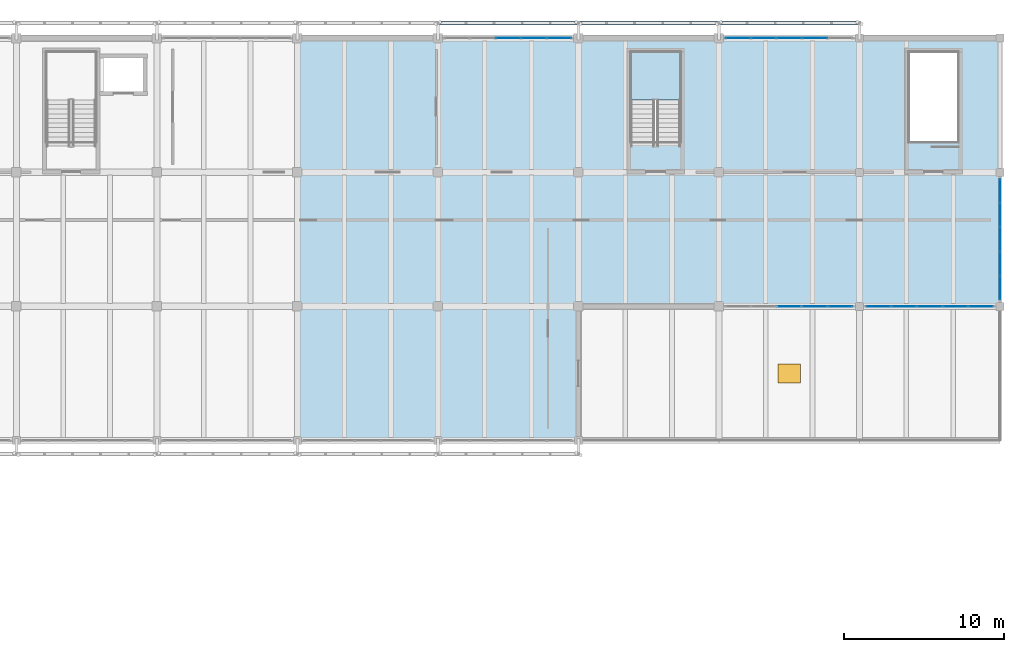
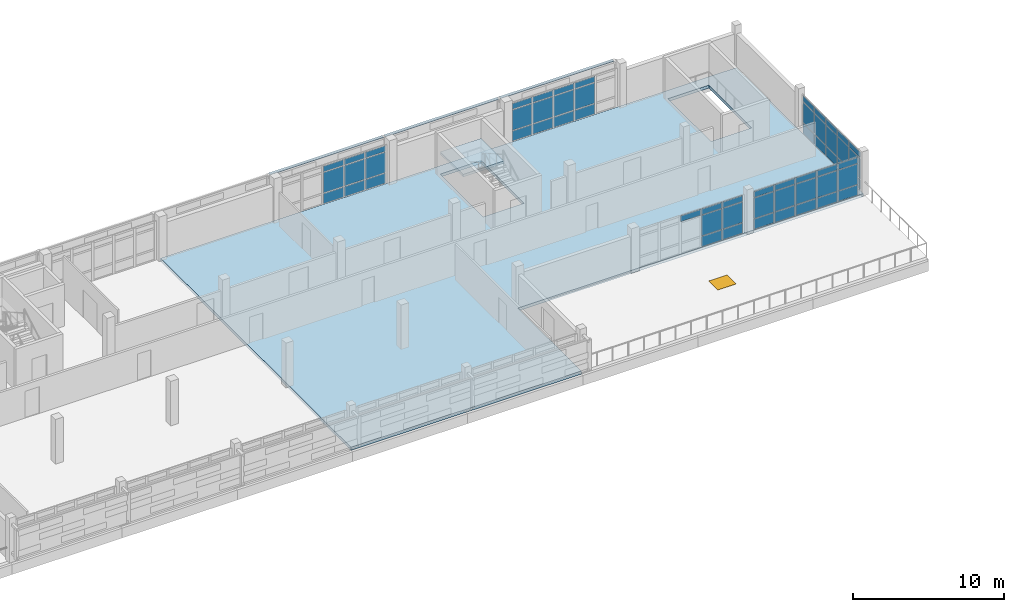
# One storey, part 40 of 50: 61 plates, 2 slabs, 1 window, 1 opening, 6 elements without a shape of their own.
"""IFC4 building model written with IfcOpenShell, lengths in metres."""

from ifc_helpers import new_model, si_unit, direction, frame, origin, origin_2d, place, context, subcontext, project, spatial, polyline, rectangle, outline, extrude, material, layer, layer_set, type_object, element, fill, aggregate, save


model = new_model("IFC4")

# Units and contexts
model_context = context("Model", 3, precision=1e-05, world=origin(), true_north=direction((0.0, 1.0)))
body_context = subcontext(model_context, "Body", "Model", "MODEL_VIEW")
ifc_project = project(units=[si_unit("LENGTHUNIT", "METRE"), si_unit("AREAUNIT", "SQUARE_METRE"), si_unit("VOLUMEUNIT", "CUBIC_METRE"), si_unit("PLANEANGLEUNIT", "RADIAN"), si_unit("MASSUNIT", "GRAM", prefix="KILO")], contexts=[model_context])

# Site, building, storey
site_placement = place(None, origin())
site = spatial("IfcSite", under=ifc_project, at=site_placement, CompositionType="ELEMENT")
building_placement = place(site_placement, origin())
building = spatial("IfcBuilding", under=site, at=building_placement, Name="Cinderway Yard Community Centre", CompositionType="ELEMENT")
storey_placement = place(building_placement, frame((0.0, 0.0, 12.89990234375)))
storey = spatial("IfcBuildingStorey", under=building, at=storey_placement, Name="L03", CompositionType="ELEMENT", Elevation=12.89990234375)

# Curtain wall, plates
ifc_material_1 = material(Name="Aluminium 6063-T6", Category="aluminium")
curtain_wall_type_1 = type_object("IfcCurtainWallType", Name="ENV-CW-TYPE-32", PredefinedType="USERDEFINED", material=ifc_material_1)
curtain_wall_1_placement = place(storey_placement, origin())
curtain_wall_1 = element("IfcCurtainWall", 1, at=curtain_wall_1_placement, inside=storey, type_object=curtain_wall_type_1, Name="V4 East End Curtain Wall ENV-CW-L03-ST-0175", ObjectType="GLAZED CURTAIN WALL", PredefinedType="USERDEFINED")
ifc_material_2 = material(Name="Laminated Low-E Glass", Category="glass")
ifc_layer_1 = layer(ifc_material_2, 0.028076171875, Name="Laminated Low-E Glass")
ifc_layer_set_1 = layer_set([ifc_layer_1], Name="Laminated Low-E Glass")
plate_type_1 = type_object("IfcPlateType", Name="ENV-CW-PAN-IGU28", PredefinedType="CURTAIN_PANEL", material=ifc_layer_set_1)
plate_1_placement = place(storey_placement, frame((136.800048828125, 99.55908203125, 0.06005859375), z_axis=(0.0, 0.0, 1.0), x_axis=(0.0, 1.0, 0.0)))
plate_1 = element("IfcPlate", 2, at=plate_1_placement, type_object=plate_type_1, Name="CW-32 panel 1.1", PredefinedType="CURTAIN_PANEL", context=body_context, shape_type="SweptSolid", body=[
    extrude(rectangle(XDim=1.43798828125, YDim=0.028076171875, at=origin_2d()), origin(), (0.0, 0.0, 1.0), 0.81005859375),
])
plate_2_placement = place(storey_placement, frame((136.800048828125, 99.55908203125, 0.93017578125), z_axis=(0.0, 0.0, 1.0), x_axis=(0.0, 1.0, 0.0)))
plate_2 = element("IfcPlate", 3, at=plate_2_placement, type_object=plate_type_1, Name="CW-32 panel 1.2", PredefinedType="CURTAIN_PANEL", context=body_context, shape_type="SweptSolid", body=[
    extrude(rectangle(XDim=1.43798828125, YDim=0.028076171875, at=origin_2d()), origin(), (0.0, 0.0, 1.0), 1.639892578125),
])
plate_3_placement = place(storey_placement, frame((136.800048828125, 99.55908203125, 2.630126953125), z_axis=(0.0, 0.0, 1.0), x_axis=(0.0, 1.0, 0.0)))
plate_3 = element("IfcPlate", 4, at=plate_3_placement, type_object=plate_type_1, Name="CW-32 panel 1.3", PredefinedType="CURTAIN_PANEL", context=body_context, shape_type="SweptSolid", body=[
    extrude(rectangle(XDim=1.43798828125, YDim=0.028076171875, at=origin_2d()), origin(), (0.0, 0.0, 1.0), 0.4599609375),
])
plate_4_placement = place(storey_placement, frame((136.800048828125, 101.072021484375, 0.06005859375), z_axis=(0.0, 0.0, 1.0), x_axis=(0.0, 1.0, 0.0)))
plate_4 = element("IfcPlate", 5, at=plate_4_placement, type_object=plate_type_1, Name="CW-32 panel 2.1", PredefinedType="CURTAIN_PANEL", context=body_context, shape_type="SweptSolid", body=[
    extrude(rectangle(XDim=1.468017578125, YDim=0.028076171875, at=origin_2d()), origin(), (0.0, 0.0, 1.0), 0.81005859375),
])
plate_5_placement = place(storey_placement, frame((136.800048828125, 101.072021484375, 0.93017578125), z_axis=(0.0, 0.0, 1.0), x_axis=(0.0, 1.0, 0.0)))
plate_5 = element("IfcPlate", 6, at=plate_5_placement, type_object=plate_type_1, Name="CW-32 panel 2.2", PredefinedType="CURTAIN_PANEL", context=body_context, shape_type="SweptSolid", body=[
    extrude(rectangle(XDim=1.468017578125, YDim=0.028076171875, at=origin_2d()), origin(), (0.0, 0.0, 1.0), 1.639892578125),
])
plate_6_placement = place(storey_placement, frame((136.800048828125, 101.072021484375, 2.630126953125), z_axis=(0.0, 0.0, 1.0), x_axis=(0.0, 1.0, 0.0)))
plate_6 = element("IfcPlate", 7, at=plate_6_placement, type_object=plate_type_1, Name="CW-32 panel 2.3", PredefinedType="CURTAIN_PANEL", context=body_context, shape_type="SweptSolid", body=[
    extrude(rectangle(XDim=1.468017578125, YDim=0.028076171875, at=origin_2d()), origin(), (0.0, 0.0, 1.0), 0.4599609375),
])
plate_7_placement = place(storey_placement, frame((136.800048828125, 102.60009765625, 0.06005859375), z_axis=(0.0, 0.0, 1.0), x_axis=(0.0, 1.0, 0.0)))
plate_7 = element("IfcPlate", 8, at=plate_7_placement, type_object=plate_type_1, Name="CW-32 panel 3.1", PredefinedType="CURTAIN_PANEL", context=body_context, shape_type="SweptSolid", body=[
    extrude(rectangle(XDim=1.468017578125, YDim=0.028076171875, at=origin_2d()), origin(), (0.0, 0.0, 1.0), 0.81005859375),
])
plate_8_placement = place(storey_placement, frame((136.800048828125, 102.60009765625, 0.93017578125), z_axis=(0.0, 0.0, 1.0), x_axis=(0.0, 1.0, 0.0)))
plate_8 = element("IfcPlate", 9, at=plate_8_placement, type_object=plate_type_1, Name="CW-32 panel 3.2", PredefinedType="CURTAIN_PANEL", context=body_context, shape_type="SweptSolid", body=[
    extrude(rectangle(XDim=1.468017578125, YDim=0.028076171875, at=origin_2d()), origin(), (0.0, 0.0, 1.0), 1.639892578125),
])
plate_9_placement = place(storey_placement, frame((136.800048828125, 102.60009765625, 2.630126953125), z_axis=(0.0, 0.0, 1.0), x_axis=(0.0, 1.0, 0.0)))
plate_9 = element("IfcPlate", 10, at=plate_9_placement, type_object=plate_type_1, Name="CW-32 panel 3.3", PredefinedType="CURTAIN_PANEL", context=body_context, shape_type="SweptSolid", body=[
    extrude(rectangle(XDim=1.468017578125, YDim=0.028076171875, at=origin_2d()), origin(), (0.0, 0.0, 1.0), 0.4599609375),
])
plate_10_placement = place(storey_placement, frame((136.800048828125, 104.1279296875, 0.06005859375), z_axis=(0.0, 0.0, 1.0), x_axis=(0.0, 1.0, 0.0)))
plate_10 = element("IfcPlate", 11, at=plate_10_placement, type_object=plate_type_1, Name="CW-32 panel 4.1", PredefinedType="CURTAIN_PANEL", context=body_context, shape_type="SweptSolid", body=[
    extrude(rectangle(XDim=1.468017578125, YDim=0.028076171875, at=origin_2d()), origin(), (0.0, 0.0, 1.0), 0.81005859375),
])
plate_11_placement = place(storey_placement, frame((136.800048828125, 104.1279296875, 0.93017578125), z_axis=(0.0, 0.0, 1.0), x_axis=(0.0, 1.0, 0.0)))
plate_11 = element("IfcPlate", 12, at=plate_11_placement, type_object=plate_type_1, Name="CW-32 panel 4.2", PredefinedType="CURTAIN_PANEL", context=body_context, shape_type="SweptSolid", body=[
    extrude(rectangle(XDim=1.468017578125, YDim=0.028076171875, at=origin_2d()), origin(), (0.0, 0.0, 1.0), 1.639892578125),
])
plate_12_placement = place(storey_placement, frame((136.800048828125, 104.1279296875, 2.630126953125), z_axis=(0.0, 0.0, 1.0), x_axis=(0.0, 1.0, 0.0)))
plate_12 = element("IfcPlate", 13, at=plate_12_placement, type_object=plate_type_1, Name="CW-32 panel 4.3", PredefinedType="CURTAIN_PANEL", context=body_context, shape_type="SweptSolid", body=[
    extrude(rectangle(XDim=1.468017578125, YDim=0.028076171875, at=origin_2d()), origin(), (0.0, 0.0, 1.0), 0.4599609375),
])
plate_13_placement = place(storey_placement, frame((136.800048828125, 105.64111328125, 0.06005859375), z_axis=(0.0, 0.0, 1.0), x_axis=(0.0, 1.0, 0.0)))
plate_13 = element("IfcPlate", 14, at=plate_13_placement, type_object=plate_type_1, Name="CW-32 panel 5.1", PredefinedType="CURTAIN_PANEL", context=body_context, shape_type="SweptSolid", body=[
    extrude(rectangle(XDim=1.43798828125, YDim=0.028076171875, at=origin_2d()), origin(), (0.0, 0.0, 1.0), 0.81005859375),
])
plate_14_placement = place(storey_placement, frame((136.800048828125, 105.64111328125, 0.93017578125), z_axis=(0.0, 0.0, 1.0), x_axis=(0.0, 1.0, 0.0)))
plate_14 = element("IfcPlate", 15, at=plate_14_placement, type_object=plate_type_1, Name="CW-32 panel 5.2", PredefinedType="CURTAIN_PANEL", context=body_context, shape_type="SweptSolid", body=[
    extrude(rectangle(XDim=1.43798828125, YDim=0.028076171875, at=origin_2d()), origin(), (0.0, 0.0, 1.0), 1.639892578125),
])
plate_15_placement = place(storey_placement, frame((136.800048828125, 105.64111328125, 2.630126953125), z_axis=(0.0, 0.0, 1.0), x_axis=(0.0, 1.0, 0.0)))
plate_15 = element("IfcPlate", 16, at=plate_15_placement, type_object=plate_type_1, Name="CW-32 panel 5.3", PredefinedType="CURTAIN_PANEL", context=body_context, shape_type="SweptSolid", body=[
    extrude(rectangle(XDim=1.43798828125, YDim=0.028076171875, at=origin_2d()), origin(), (0.0, 0.0, 1.0), 0.4599609375),
])
aggregate(curtain_wall_1, [plate_1, plate_2, plate_3, plate_4, plate_5, plate_6, plate_7, plate_8, plate_9, plate_10, plate_11, plate_12, plate_13, plate_14, plate_15])

curtain_wall_type_2 = type_object("IfcCurtainWallType", Name="ENV-CW-TYPE-33", PredefinedType="USERDEFINED", material=ifc_material_1)
curtain_wall_2_placement = place(storey_placement, origin())
curtain_wall_2 = element("IfcCurtainWall", 17, at=curtain_wall_2_placement, inside=storey, type_object=curtain_wall_type_2, Name="V4 Street Curtain Wall ENV-CW-L03-HS-0169", ObjectType="GLAZED CURTAIN WALL", PredefinedType="USERDEFINED")
ifc_layer_2 = layer(ifc_material_2, 0.031982421875, Name="Laminated Low-E Glass")
ifc_layer_set_2 = layer_set([ifc_layer_2], Name="Laminated Low-E Glass")
plate_type_2 = type_object("IfcPlateType", Name="ENV-CW-PAN-IGU32", PredefinedType="CURTAIN_PANEL", material=ifc_layer_set_2)
plate_16_placement = place(storey_placement, frame((106.0, 115.199951171875, 0.06005859375), z_axis=(0.0, 0.0, 1.0), x_axis=(1.0, 0.0, 0.0)))
plate_16 = element("IfcPlate", 18, at=plate_16_placement, type_object=plate_type_2, Name="CW-33 panel 3.1", PredefinedType="CURTAIN_PANEL", context=body_context, shape_type="SweptSolid", body=[
    extrude(rectangle(XDim=1.548095703125, YDim=0.028076171875, at=origin_2d()), origin(), (0.0, 0.0, 1.0), 0.81005859375),
])
plate_17_placement = place(storey_placement, frame((106.0, 115.199951171875, 0.93017578125), z_axis=(0.0, 0.0, 1.0), x_axis=(1.0, 0.0, 0.0)))
plate_17 = element("IfcPlate", 19, at=plate_17_placement, type_object=plate_type_2, Name="CW-33 panel 3.2", PredefinedType="CURTAIN_PANEL", context=body_context, shape_type="SweptSolid", body=[
    extrude(rectangle(XDim=1.548095703125, YDim=0.028076171875, at=origin_2d()), origin(), (0.0, 0.0, 1.0), 1.639892578125),
])
plate_18_placement = place(storey_placement, frame((106.0, 115.199951171875, 2.630126953125), z_axis=(0.0, 0.0, 1.0), x_axis=(1.0, 0.0, 0.0)))
plate_18 = element("IfcPlate", 20, at=plate_18_placement, type_object=plate_type_2, Name="CW-33 panel 3.3", PredefinedType="CURTAIN_PANEL", context=body_context, shape_type="SweptSolid", body=[
    extrude(rectangle(XDim=1.548095703125, YDim=0.028076171875, at=origin_2d()), origin(), (0.0, 0.0, 1.0), 0.4599609375),
])
plate_19_placement = place(storey_placement, frame((107.60791015625, 115.199951171875, 0.06005859375), z_axis=(0.0, 0.0, 1.0), x_axis=(1.0, 0.0, 0.0)))
plate_19 = element("IfcPlate", 21, at=plate_19_placement, type_object=plate_type_2, Name="CW-33 panel 4.1", PredefinedType="CURTAIN_PANEL", context=body_context, shape_type="SweptSolid", body=[
    extrude(rectangle(XDim=1.548095703125, YDim=0.028076171875, at=origin_2d()), origin(), (0.0, 0.0, 1.0), 0.81005859375),
])
plate_20_placement = place(storey_placement, frame((107.60791015625, 115.199951171875, 0.93017578125), z_axis=(0.0, 0.0, 1.0), x_axis=(1.0, 0.0, 0.0)))
plate_20 = element("IfcPlate", 22, at=plate_20_placement, type_object=plate_type_2, Name="CW-33 panel 4.2", PredefinedType="CURTAIN_PANEL", context=body_context, shape_type="SweptSolid", body=[
    extrude(rectangle(XDim=1.548095703125, YDim=0.028076171875, at=origin_2d()), origin(), (0.0, 0.0, 1.0), 1.639892578125),
])
plate_21_placement = place(storey_placement, frame((107.60791015625, 115.199951171875, 2.630126953125), z_axis=(0.0, 0.0, 1.0), x_axis=(1.0, 0.0, 0.0)))
plate_21 = element("IfcPlate", 23, at=plate_21_placement, type_object=plate_type_2, Name="CW-33 panel 4.3", PredefinedType="CURTAIN_PANEL", context=body_context, shape_type="SweptSolid", body=[
    extrude(rectangle(XDim=1.548095703125, YDim=0.028076171875, at=origin_2d()), origin(), (0.0, 0.0, 1.0), 0.4599609375),
])
plate_22_placement = place(storey_placement, frame((109.200927734375, 115.199951171875, 0.06005859375), z_axis=(0.0, 0.0, 1.0), x_axis=(1.0, 0.0, 0.0)))
plate_22 = element("IfcPlate", 24, at=plate_22_placement, type_object=plate_type_2, Name="CW-33 panel 5.1", PredefinedType="CURTAIN_PANEL", context=body_context, shape_type="SweptSolid", body=[
    extrude(rectangle(XDim=1.51806640625, YDim=0.028076171875, at=origin_2d()), origin(), (0.0, 0.0, 1.0), 0.81005859375),
])
plate_23_placement = place(storey_placement, frame((109.200927734375, 115.199951171875, 0.93017578125), z_axis=(0.0, 0.0, 1.0), x_axis=(1.0, 0.0, 0.0)))
plate_23 = element("IfcPlate", 25, at=plate_23_placement, type_object=plate_type_2, Name="CW-33 panel 5.2", PredefinedType="CURTAIN_PANEL", context=body_context, shape_type="SweptSolid", body=[
    extrude(rectangle(XDim=1.51806640625, YDim=0.028076171875, at=origin_2d()), origin(), (0.0, 0.0, 1.0), 1.639892578125),
])
plate_24_placement = place(storey_placement, frame((109.200927734375, 115.199951171875, 2.630126953125), z_axis=(0.0, 0.0, 1.0), x_axis=(1.0, 0.0, 0.0)))
plate_24 = element("IfcPlate", 26, at=plate_24_placement, type_object=plate_type_2, Name="CW-33 panel 5.3", PredefinedType="CURTAIN_PANEL", context=body_context, shape_type="SweptSolid", body=[
    extrude(rectangle(XDim=1.51806640625, YDim=0.028076171875, at=origin_2d()), origin(), (0.0, 0.0, 1.0), 0.4599609375),
])
aggregate(curtain_wall_2, [plate_16, plate_17, plate_18, plate_19, plate_20, plate_21, plate_22, plate_23, plate_24])

curtain_wall_3_placement = place(storey_placement, origin())
curtain_wall_3 = element("IfcCurtainWall", 27, at=curtain_wall_3_placement, inside=storey, type_object=curtain_wall_type_2, Name="V4 Street Curtain Wall ENV-CW-L03-HS-0171", ObjectType="GLAZED CURTAIN WALL", PredefinedType="USERDEFINED")
plate_25_placement = place(storey_placement, frame((120.39892578125, 115.199951171875, 0.06005859375), z_axis=(0.0, 0.0, 1.0), x_axis=(1.0, 0.0, 0.0)))
plate_25 = element("IfcPlate", 28, at=plate_25_placement, type_object=plate_type_2, Name="CW-33 panel 1.1", PredefinedType="CURTAIN_PANEL", context=body_context, shape_type="SweptSolid", body=[
    extrude(rectangle(XDim=1.51806640625, YDim=0.028076171875, at=origin_2d()), origin(), (0.0, 0.0, 1.0), 0.81005859375),
])
plate_26_placement = place(storey_placement, frame((120.39892578125, 115.199951171875, 0.93017578125), z_axis=(0.0, 0.0, 1.0), x_axis=(1.0, 0.0, 0.0)))
plate_26 = element("IfcPlate", 29, at=plate_26_placement, type_object=plate_type_2, Name="CW-33 panel 1.2", PredefinedType="CURTAIN_PANEL", context=body_context, shape_type="SweptSolid", body=[
    extrude(rectangle(XDim=1.51806640625, YDim=0.028076171875, at=origin_2d()), origin(), (0.0, 0.0, 1.0), 1.639892578125),
])
plate_27_placement = place(storey_placement, frame((120.39892578125, 115.199951171875, 2.630126953125), z_axis=(0.0, 0.0, 1.0), x_axis=(1.0, 0.0, 0.0)))
plate_27 = element("IfcPlate", 30, at=plate_27_placement, type_object=plate_type_2, Name="CW-33 panel 1.3", PredefinedType="CURTAIN_PANEL", context=body_context, shape_type="SweptSolid", body=[
    extrude(rectangle(XDim=1.51806640625, YDim=0.028076171875, at=origin_2d()), origin(), (0.0, 0.0, 1.0), 0.4599609375),
])
plate_28_placement = place(storey_placement, frame((121.991943359375, 115.199951171875, 0.06005859375), z_axis=(0.0, 0.0, 1.0), x_axis=(1.0, 0.0, 0.0)))
plate_28 = element("IfcPlate", 31, at=plate_28_placement, type_object=plate_type_2, Name="CW-33 panel 2.1", PredefinedType="CURTAIN_PANEL", context=body_context, shape_type="SweptSolid", body=[
    extrude(rectangle(XDim=1.548095703125, YDim=0.028076171875, at=origin_2d()), origin(), (0.0, 0.0, 1.0), 0.81005859375),
])
plate_29_placement = place(storey_placement, frame((121.991943359375, 115.199951171875, 0.93017578125), z_axis=(0.0, 0.0, 1.0), x_axis=(1.0, 0.0, 0.0)))
plate_29 = element("IfcPlate", 32, at=plate_29_placement, type_object=plate_type_2, Name="CW-33 panel 2.2", PredefinedType="CURTAIN_PANEL", context=body_context, shape_type="SweptSolid", body=[
    extrude(rectangle(XDim=1.548095703125, YDim=0.028076171875, at=origin_2d()), origin(), (0.0, 0.0, 1.0), 1.639892578125),
])
plate_30_placement = place(storey_placement, frame((121.991943359375, 115.199951171875, 2.630126953125), z_axis=(0.0, 0.0, 1.0), x_axis=(1.0, 0.0, 0.0)))
plate_30 = element("IfcPlate", 33, at=plate_30_placement, type_object=plate_type_2, Name="CW-33 panel 2.3", PredefinedType="CURTAIN_PANEL", context=body_context, shape_type="SweptSolid", body=[
    extrude(rectangle(XDim=1.548095703125, YDim=0.028076171875, at=origin_2d()), origin(), (0.0, 0.0, 1.0), 0.4599609375),
])
plate_31_placement = place(storey_placement, frame((123.60009765625, 115.199951171875, 0.06005859375), z_axis=(0.0, 0.0, 1.0), x_axis=(1.0, 0.0, 0.0)))
plate_31 = element("IfcPlate", 34, at=plate_31_placement, type_object=plate_type_2, Name="CW-33 panel 3.1", PredefinedType="CURTAIN_PANEL", context=body_context, shape_type="SweptSolid", body=[
    extrude(rectangle(XDim=1.548095703125, YDim=0.028076171875, at=origin_2d()), origin(), (0.0, 0.0, 1.0), 0.81005859375),
])
plate_32_placement = place(storey_placement, frame((123.60009765625, 115.199951171875, 0.93017578125), z_axis=(0.0, 0.0, 1.0), x_axis=(1.0, 0.0, 0.0)))
plate_32 = element("IfcPlate", 35, at=plate_32_placement, type_object=plate_type_2, Name="CW-33 panel 3.2", PredefinedType="CURTAIN_PANEL", context=body_context, shape_type="SweptSolid", body=[
    extrude(rectangle(XDim=1.548095703125, YDim=0.028076171875, at=origin_2d()), origin(), (0.0, 0.0, 1.0), 1.639892578125),
])
plate_33_placement = place(storey_placement, frame((123.60009765625, 115.199951171875, 2.630126953125), z_axis=(0.0, 0.0, 1.0), x_axis=(1.0, 0.0, 0.0)))
plate_33 = element("IfcPlate", 36, at=plate_33_placement, type_object=plate_type_2, Name="CW-33 panel 3.3", PredefinedType="CURTAIN_PANEL", context=body_context, shape_type="SweptSolid", body=[
    extrude(rectangle(XDim=1.548095703125, YDim=0.028076171875, at=origin_2d()), origin(), (0.0, 0.0, 1.0), 0.4599609375),
])
plate_34_placement = place(storey_placement, frame((125.2080078125, 115.199951171875, 0.06005859375), z_axis=(0.0, 0.0, 1.0), x_axis=(1.0, 0.0, 0.0)))
plate_34 = element("IfcPlate", 37, at=plate_34_placement, type_object=plate_type_2, Name="CW-33 panel 4.1", PredefinedType="CURTAIN_PANEL", context=body_context, shape_type="SweptSolid", body=[
    extrude(rectangle(XDim=1.548095703125, YDim=0.028076171875, at=origin_2d()), origin(), (0.0, 0.0, 1.0), 0.81005859375),
])
plate_35_placement = place(storey_placement, frame((125.2080078125, 115.199951171875, 0.93017578125), z_axis=(0.0, 0.0, 1.0), x_axis=(1.0, 0.0, 0.0)))
plate_35 = element("IfcPlate", 38, at=plate_35_placement, type_object=plate_type_2, Name="CW-33 panel 4.2", PredefinedType="CURTAIN_PANEL", context=body_context, shape_type="SweptSolid", body=[
    extrude(rectangle(XDim=1.548095703125, YDim=0.028076171875, at=origin_2d()), origin(), (0.0, 0.0, 1.0), 1.639892578125),
])
plate_36_placement = place(storey_placement, frame((125.2080078125, 115.199951171875, 2.630126953125), z_axis=(0.0, 0.0, 1.0), x_axis=(1.0, 0.0, 0.0)))
plate_36 = element("IfcPlate", 39, at=plate_36_placement, type_object=plate_type_2, Name="CW-33 panel 4.3", PredefinedType="CURTAIN_PANEL", context=body_context, shape_type="SweptSolid", body=[
    extrude(rectangle(XDim=1.548095703125, YDim=0.028076171875, at=origin_2d()), origin(), (0.0, 0.0, 1.0), 0.4599609375),
])
aggregate(curtain_wall_3, [plate_25, plate_26, plate_27, plate_28, plate_29, plate_30, plate_31, plate_32, plate_33, plate_34, plate_35, plate_36])

curtain_wall_4_placement = place(storey_placement, origin())
curtain_wall_4 = element("IfcCurtainWall", 40, at=curtain_wall_4_placement, inside=storey, type_object=curtain_wall_type_2, Name="V4 Courtyard Curtain Wall ENV-CW-L03-HS-0172", ObjectType="GLAZED CURTAIN WALL", PredefinedType="USERDEFINED")
plate_37_placement = place(storey_placement, frame((123.60009765625, 98.39990234375, 2.630126953125), z_axis=(0.0, 0.0, 1.0), x_axis=(1.0, 0.0, 0.0)))
plate_37 = element("IfcPlate", 41, at=plate_37_placement, type_object=plate_type_2, Name="CW-33 panel 3.3", PredefinedType="CURTAIN_PANEL", context=body_context, shape_type="SweptSolid", body=[
    extrude(rectangle(XDim=1.548095703125, YDim=0.028076171875, at=origin_2d()), origin(), (0.0, 0.0, 1.0), 0.4599609375),
])
plate_38_placement = place(storey_placement, frame((125.2080078125, 98.39990234375, 0.06005859375), z_axis=(0.0, 0.0, 1.0), x_axis=(1.0, 0.0, 0.0)))
plate_38 = element("IfcPlate", 42, at=plate_38_placement, type_object=plate_type_2, Name="CW-33 panel 4.1", PredefinedType="CURTAIN_PANEL", context=body_context, shape_type="SweptSolid", body=[
    extrude(rectangle(XDim=1.548095703125, YDim=0.028076171875, at=origin_2d()), origin(), (0.0, 0.0, 1.0), 0.81005859375),
])
plate_39_placement = place(storey_placement, frame((125.2080078125, 98.39990234375, 0.93017578125), z_axis=(0.0, 0.0, 1.0), x_axis=(1.0, 0.0, 0.0)))
plate_39 = element("IfcPlate", 43, at=plate_39_placement, type_object=plate_type_2, Name="CW-33 panel 4.2", PredefinedType="CURTAIN_PANEL", context=body_context, shape_type="SweptSolid", body=[
    extrude(rectangle(XDim=1.548095703125, YDim=0.028076171875, at=origin_2d()), origin(), (0.0, 0.0, 1.0), 1.639892578125),
])
plate_40_placement = place(storey_placement, frame((125.2080078125, 98.39990234375, 2.630126953125), z_axis=(0.0, 0.0, 1.0), x_axis=(1.0, 0.0, 0.0)))
plate_40 = element("IfcPlate", 44, at=plate_40_placement, type_object=plate_type_2, Name="CW-33 panel 4.3", PredefinedType="CURTAIN_PANEL", context=body_context, shape_type="SweptSolid", body=[
    extrude(rectangle(XDim=1.548095703125, YDim=0.028076171875, at=origin_2d()), origin(), (0.0, 0.0, 1.0), 0.4599609375),
])
plate_41_placement = place(storey_placement, frame((126.801025390625, 98.39990234375, 0.06005859375), z_axis=(0.0, 0.0, 1.0), x_axis=(1.0, 0.0, 0.0)))
plate_41 = element("IfcPlate", 45, at=plate_41_placement, type_object=plate_type_2, Name="CW-33 panel 5.1", PredefinedType="CURTAIN_PANEL", context=body_context, shape_type="SweptSolid", body=[
    extrude(rectangle(XDim=1.51806640625, YDim=0.028076171875, at=origin_2d()), origin(), (0.0, 0.0, 1.0), 0.81005859375),
])
plate_42_placement = place(storey_placement, frame((126.801025390625, 98.39990234375, 0.93017578125), z_axis=(0.0, 0.0, 1.0), x_axis=(1.0, 0.0, 0.0)))
plate_42 = element("IfcPlate", 46, at=plate_42_placement, type_object=plate_type_2, Name="CW-33 panel 5.2", PredefinedType="CURTAIN_PANEL", context=body_context, shape_type="SweptSolid", body=[
    extrude(rectangle(XDim=1.51806640625, YDim=0.028076171875, at=origin_2d()), origin(), (0.0, 0.0, 1.0), 1.639892578125),
])
plate_43_placement = place(storey_placement, frame((126.801025390625, 98.39990234375, 2.630126953125), z_axis=(0.0, 0.0, 1.0), x_axis=(1.0, 0.0, 0.0)))
plate_43 = element("IfcPlate", 47, at=plate_43_placement, type_object=plate_type_2, Name="CW-33 panel 5.3", PredefinedType="CURTAIN_PANEL", context=body_context, shape_type="SweptSolid", body=[
    extrude(rectangle(XDim=1.51806640625, YDim=0.028076171875, at=origin_2d()), origin(), (0.0, 0.0, 1.0), 0.4599609375),
])
aggregate(curtain_wall_4, [plate_37, plate_38, plate_39, plate_40, plate_41, plate_42, plate_43])

curtain_wall_5_placement = place(storey_placement, origin())
curtain_wall_5 = element("IfcCurtainWall", 48, at=curtain_wall_5_placement, inside=storey, type_object=curtain_wall_type_2, Name="V4 Courtyard Curtain Wall ENV-CW-L03-HS-0173", ObjectType="GLAZED CURTAIN WALL", PredefinedType="USERDEFINED")
plate_44_placement = place(storey_placement, frame((129.198974609375, 98.39990234375, 0.06005859375), z_axis=(0.0, 0.0, 1.0), x_axis=(1.0, 0.0, 0.0)))
plate_44 = element("IfcPlate", 49, at=plate_44_placement, type_object=plate_type_2, Name="CW-33 panel 1.1", PredefinedType="CURTAIN_PANEL", context=body_context, shape_type="SweptSolid", body=[
    extrude(rectangle(XDim=1.51806640625, YDim=0.028076171875, at=origin_2d()), origin(), (0.0, 0.0, 1.0), 0.81005859375),
])
plate_45_placement = place(storey_placement, frame((129.198974609375, 98.39990234375, 0.93017578125), z_axis=(0.0, 0.0, 1.0), x_axis=(1.0, 0.0, 0.0)))
plate_45 = element("IfcPlate", 50, at=plate_45_placement, type_object=plate_type_2, Name="CW-33 panel 1.2", PredefinedType="CURTAIN_PANEL", context=body_context, shape_type="SweptSolid", body=[
    extrude(rectangle(XDim=1.51806640625, YDim=0.028076171875, at=origin_2d()), origin(), (0.0, 0.0, 1.0), 1.639892578125),
])
plate_46_placement = place(storey_placement, frame((129.198974609375, 98.39990234375, 2.630126953125), z_axis=(0.0, 0.0, 1.0), x_axis=(1.0, 0.0, 0.0)))
plate_46 = element("IfcPlate", 51, at=plate_46_placement, type_object=plate_type_2, Name="CW-33 panel 1.3", PredefinedType="CURTAIN_PANEL", context=body_context, shape_type="SweptSolid", body=[
    extrude(rectangle(XDim=1.51806640625, YDim=0.028076171875, at=origin_2d()), origin(), (0.0, 0.0, 1.0), 0.4599609375),
])
plate_47_placement = place(storey_placement, frame((130.7919921875, 98.39990234375, 0.06005859375), z_axis=(0.0, 0.0, 1.0), x_axis=(1.0, 0.0, 0.0)))
plate_47 = element("IfcPlate", 52, at=plate_47_placement, type_object=plate_type_2, Name="CW-33 panel 2.1", PredefinedType="CURTAIN_PANEL", context=body_context, shape_type="SweptSolid", body=[
    extrude(rectangle(XDim=1.548095703125, YDim=0.028076171875, at=origin_2d()), origin(), (0.0, 0.0, 1.0), 0.81005859375),
])
plate_48_placement = place(storey_placement, frame((130.7919921875, 98.39990234375, 0.93017578125), z_axis=(0.0, 0.0, 1.0), x_axis=(1.0, 0.0, 0.0)))
plate_48 = element("IfcPlate", 53, at=plate_48_placement, type_object=plate_type_2, Name="CW-33 panel 2.2", PredefinedType="CURTAIN_PANEL", context=body_context, shape_type="SweptSolid", body=[
    extrude(rectangle(XDim=1.548095703125, YDim=0.028076171875, at=origin_2d()), origin(), (0.0, 0.0, 1.0), 1.639892578125),
])
plate_49_placement = place(storey_placement, frame((130.7919921875, 98.39990234375, 2.630126953125), z_axis=(0.0, 0.0, 1.0), x_axis=(1.0, 0.0, 0.0)))
plate_49 = element("IfcPlate", 54, at=plate_49_placement, type_object=plate_type_2, Name="CW-33 panel 2.3", PredefinedType="CURTAIN_PANEL", context=body_context, shape_type="SweptSolid", body=[
    extrude(rectangle(XDim=1.548095703125, YDim=0.028076171875, at=origin_2d()), origin(), (0.0, 0.0, 1.0), 0.4599609375),
])
plate_50_placement = place(storey_placement, frame((132.39990234375, 98.39990234375, 0.06005859375), z_axis=(0.0, 0.0, 1.0), x_axis=(1.0, 0.0, 0.0)))
plate_50 = element("IfcPlate", 55, at=plate_50_placement, type_object=plate_type_2, Name="CW-33 panel 3.1", PredefinedType="CURTAIN_PANEL", context=body_context, shape_type="SweptSolid", body=[
    extrude(rectangle(XDim=1.548095703125, YDim=0.028076171875, at=origin_2d()), origin(), (0.0, 0.0, 1.0), 0.81005859375),
])
plate_51_placement = place(storey_placement, frame((132.39990234375, 98.39990234375, 0.93017578125), z_axis=(0.0, 0.0, 1.0), x_axis=(1.0, 0.0, 0.0)))
plate_51 = element("IfcPlate", 56, at=plate_51_placement, type_object=plate_type_2, Name="CW-33 panel 3.2", PredefinedType="CURTAIN_PANEL", context=body_context, shape_type="SweptSolid", body=[
    extrude(rectangle(XDim=1.548095703125, YDim=0.028076171875, at=origin_2d()), origin(), (0.0, 0.0, 1.0), 1.639892578125),
])
plate_52_placement = place(storey_placement, frame((132.39990234375, 98.39990234375, 2.630126953125), z_axis=(0.0, 0.0, 1.0), x_axis=(1.0, 0.0, 0.0)))
plate_52 = element("IfcPlate", 57, at=plate_52_placement, type_object=plate_type_2, Name="CW-33 panel 3.3", PredefinedType="CURTAIN_PANEL", context=body_context, shape_type="SweptSolid", body=[
    extrude(rectangle(XDim=1.548095703125, YDim=0.028076171875, at=origin_2d()), origin(), (0.0, 0.0, 1.0), 0.4599609375),
])
plate_53_placement = place(storey_placement, frame((134.008056640625, 98.39990234375, 0.06005859375), z_axis=(0.0, 0.0, 1.0), x_axis=(1.0, 0.0, 0.0)))
plate_53 = element("IfcPlate", 58, at=plate_53_placement, type_object=plate_type_2, Name="CW-33 panel 4.1", PredefinedType="CURTAIN_PANEL", context=body_context, shape_type="SweptSolid", body=[
    extrude(rectangle(XDim=1.548095703125, YDim=0.028076171875, at=origin_2d()), origin(), (0.0, 0.0, 1.0), 0.81005859375),
])
plate_54_placement = place(storey_placement, frame((134.008056640625, 98.39990234375, 0.93017578125), z_axis=(0.0, 0.0, 1.0), x_axis=(1.0, 0.0, 0.0)))
plate_54 = element("IfcPlate", 59, at=plate_54_placement, type_object=plate_type_2, Name="CW-33 panel 4.2", PredefinedType="CURTAIN_PANEL", context=body_context, shape_type="SweptSolid", body=[
    extrude(rectangle(XDim=1.548095703125, YDim=0.028076171875, at=origin_2d()), origin(), (0.0, 0.0, 1.0), 1.639892578125),
])
plate_55_placement = place(storey_placement, frame((134.008056640625, 98.39990234375, 2.630126953125), z_axis=(0.0, 0.0, 1.0), x_axis=(1.0, 0.0, 0.0)))
plate_55 = element("IfcPlate", 60, at=plate_55_placement, type_object=plate_type_2, Name="CW-33 panel 4.3", PredefinedType="CURTAIN_PANEL", context=body_context, shape_type="SweptSolid", body=[
    extrude(rectangle(XDim=1.548095703125, YDim=0.028076171875, at=origin_2d()), origin(), (0.0, 0.0, 1.0), 0.4599609375),
])
plate_56_placement = place(storey_placement, frame((135.60107421875, 98.39990234375, 0.06005859375), z_axis=(0.0, 0.0, 1.0), x_axis=(1.0, 0.0, 0.0)))
plate_56 = element("IfcPlate", 61, at=plate_56_placement, type_object=plate_type_2, Name="CW-33 panel 5.1", PredefinedType="CURTAIN_PANEL", context=body_context, shape_type="SweptSolid", body=[
    extrude(rectangle(XDim=1.51806640625, YDim=0.028076171875, at=origin_2d()), origin(), (0.0, 0.0, 1.0), 0.81005859375),
])
plate_57_placement = place(storey_placement, frame((135.60107421875, 98.39990234375, 0.93017578125), z_axis=(0.0, 0.0, 1.0), x_axis=(1.0, 0.0, 0.0)))
plate_57 = element("IfcPlate", 62, at=plate_57_placement, type_object=plate_type_2, Name="CW-33 panel 5.2", PredefinedType="CURTAIN_PANEL", context=body_context, shape_type="SweptSolid", body=[
    extrude(rectangle(XDim=1.51806640625, YDim=0.028076171875, at=origin_2d()), origin(), (0.0, 0.0, 1.0), 1.639892578125),
])
plate_58_placement = place(storey_placement, frame((135.60107421875, 98.39990234375, 2.630126953125), z_axis=(0.0, 0.0, 1.0), x_axis=(1.0, 0.0, 0.0)))
plate_58 = element("IfcPlate", 63, at=plate_58_placement, type_object=plate_type_2, Name="CW-33 panel 5.3", PredefinedType="CURTAIN_PANEL", context=body_context, shape_type="SweptSolid", body=[
    extrude(rectangle(XDim=1.51806640625, YDim=0.028076171875, at=origin_2d()), origin(), (0.0, 0.0, 1.0), 0.4599609375),
])
aggregate(curtain_wall_5, [plate_44, plate_45, plate_46, plate_47, plate_48, plate_49, plate_50, plate_51, plate_52, plate_53, plate_54, plate_55, plate_56, plate_57, plate_58])

# Plates
ifc_layer_3 = layer(ifc_material_1, 0.01611328125, Name="Aluminium 6063-T6")
ifc_layer_set_3 = layer_set([ifc_layer_3], Name="Aluminium 6063-T6")
plate_type_3 = type_object("IfcPlateType", Name="ENV-PLT-FASCIA16", PredefinedType="USERDEFINED", material=ifc_layer_set_3)
for number, where, z_axis, x_axis, name in (
    (64, (106.0, 116.14990234375, 3.112060546875), (0.0, 0.0, 1.0), (1.0, 0.0, 0.0), "Screen coping fascia 0030"),
    (65, (114.800048828125, 116.14990234375, 3.112060546875), (0.0, 0.0, 1.0), (1.0, 0.0, 0.0), "Screen coping fascia 0031"),
    (66, (123.60009765625, 116.14990234375, 3.112060546875), (0.0, 0.0, 1.0), (1.0, 0.0, 0.0), "Screen coping fascia 0032"),
):
    element("IfcPlate", number, at=place(storey_placement, frame(where, z_axis=z_axis, x_axis=x_axis)), inside=storey, type_object=plate_type_3, Name=name, ObjectType="FASCIA PLATE", PredefinedType="USERDEFINED", context=body_context, shape_type="SweptSolid", body=[
        extrude(rectangle(XDim=8.699951171875, YDim=0.260009765625, at=origin_2d()), origin(), (0.0, 0.0, 1.0), 0.01611328125),
    ])

# Stair, slab
ifc_material_3 = material(Name="Concrete C40/50", Category="concrete")
stair_type = type_object("IfcStairType", Name="INT-STR-360A", PredefinedType="HALF_TURN_STAIR", material=ifc_material_3)
stair_placement = place(storey_placement, origin())
stair = element("IfcStair", 67, at=stair_placement, inside=storey, type_object=stair_type, Name="L03 Core C2B Exit Stair ST-03", PredefinedType="HALF_TURN_STAIR")
ifc_layer_4 = layer(ifc_material_3, 0.199951171875, Name="Concrete C40/50")
ifc_layer_set_4 = layer_set([ifc_layer_4], Name="Concrete C40/50")
slab_type_1 = type_object("IfcSlabType", Name="INT-SLB-LND200", PredefinedType="LANDING", material=ifc_layer_set_4)
slab_1_placement = place(storey_placement, frame((0.0, 0.0, 1.60009765625)))
slab_1 = element("IfcSlab", 68, at=slab_1_placement, type_object=slab_type_1, Name="ST-03 landing 1", PredefinedType="LANDING", context=body_context, shape_type="SweptSolid", body=[
    extrude(outline(polyline([(116.800048828125, 111.330078125), (116.800048828125, 114.35009765625), (113.679931640625, 114.35009765625), (113.679931640625, 111.330078125), (116.800048828125, 111.330078125)])), origin(), (0.0, 0.0, 1.0), 0.199951171875),
])
aggregate(stair, [slab_1])

# Slab, opening, window
ifc_material_4 = material(Name="Concrete C35/45", Category="concrete")
ifc_layer_5 = layer(ifc_material_4, 0.239990234375, Name="Concrete C35/45")
ifc_layer_set_5 = layer_set([ifc_layer_5], Name="Concrete C35/45")
slab_type_2 = type_object("IfcSlabType", Name="STR-SLAB-FLR-240", PredefinedType="FLOOR", material=ifc_layer_set_5)
slab_2_placement = place(storey_placement, frame((0.0, 0.0, -0.239990234375)))
slab_2 = element("IfcSlab", 69, at=slab_2_placement, inside=storey, type_object=slab_type_2, Name="V4 Community Library East Slab L03 STR-SLAB-L03-037", PredefinedType="FLOOR", context=body_context, shape_type="SweptSolid", body=[
    extrude(outline(polyline([(92.800048828125, 90.0), (110.39990234375, 90.0), (110.39990234375, 98.39990234375), (136.800048828125, 98.39990234375), (136.800048828125, 115.199951171875), (92.800048828125, 115.199951171875), (92.800048828125, 90.0)]), holes=[polyline([(116.800048828125, 108.669921875), (116.800048828125, 114.35009765625), (113.679931640625, 114.35009765625), (113.679931640625, 108.669921875), (116.800048828125, 108.669921875)]), polyline([(134.199951171875, 108.669921875), (134.199951171875, 114.35009765625), (131.080078125, 114.35009765625), (131.080078125, 108.669921875), (134.199951171875, 108.669921875)])]), origin(), (0.0, 0.0, 1.0), 0.239990234375),
])
opening_placement = place(slab_2_placement, frame((123.60009765625, 94.199951171875, 0.0)))
opening = element("IfcOpeningElement", 70, at=opening_placement, cuts=slab_2, Name="Opening SK-02", PredefinedType="OPENING", context=body_context, shape_type="SweptSolid", body=[
    extrude(rectangle(XDim=1.39990234375, YDim=1.199951171875, at=origin_2d()), origin(), (0.0, 0.0, 1.0), 0.239990234375),
])
window_type = type_object("IfcWindowType", Name="ENV-SKY-S02", PartitioningType="SINGLE_PANEL", PredefinedType="SKYLIGHT", material=ifc_material_2)
window_placement = place(opening_placement, frame((0.0, 0.0, 0.18994140625)))
window = element("IfcWindow", 71, at=window_placement, inside=storey, type_object=window_type, Name="Terrace daylight skylight 04", OverallHeight=1.199951171875, OverallWidth=1.39990234375, PartitioningType="SINGLE_PANEL", PredefinedType="SKYLIGHT", context=body_context, shape_type="SweptSolid", body=[
    extrude(rectangle(XDim=1.39990234375, YDim=1.199951171875, at=origin_2d()), origin(), (0.0, 0.0, 1.0), 0.050048828125),
])
fill(opening, window)

save(model, "model.ifc")
